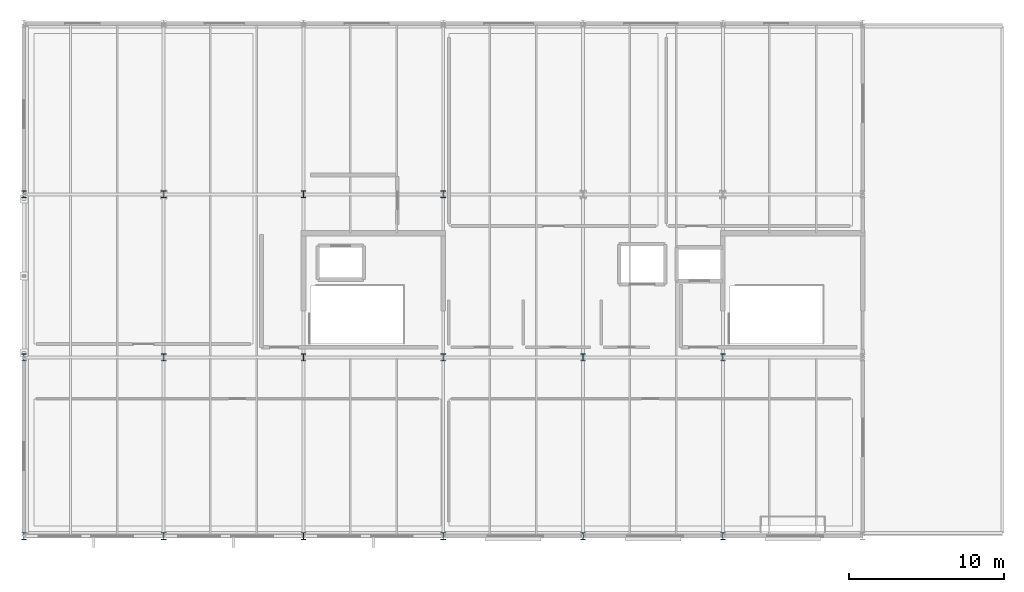
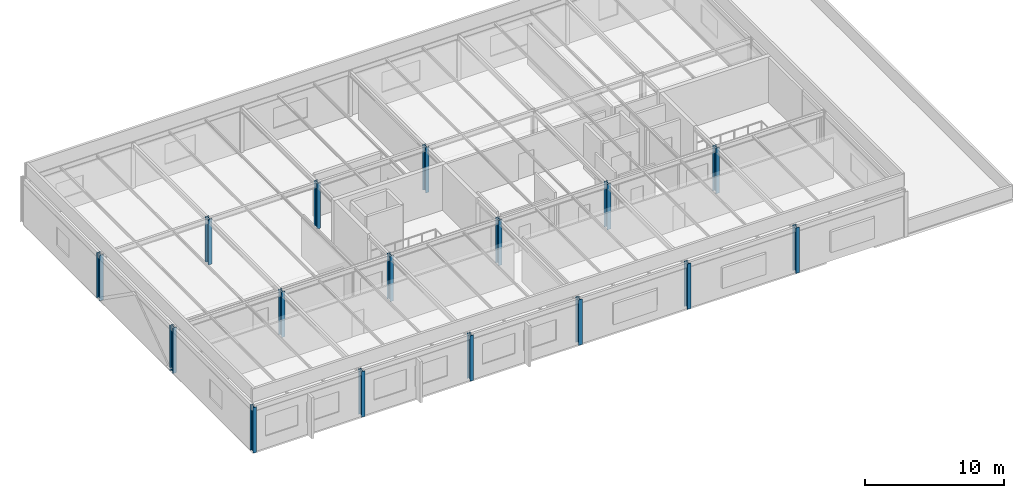
# One storey, part 1 of 14: 16 columns.
"""IFC4 building model written with IfcOpenShell, lengths in metres."""

from ifc_helpers import new_model, si_unit, direction, frame, origin, origin_2d, place, context, subcontext, project, spatial, i_section, extrude, material, material_profile, profile_set, type_object, element, save


model = new_model("IFC4")

# Units and contexts
model_context = context("Model", 3, precision=1e-05, world=origin(), true_north=direction((0.0, 1.0)))
body_context = subcontext(model_context, "Body", "Model", "MODEL_VIEW")
ifc_project = project(units=[si_unit("LENGTHUNIT", "METRE"), si_unit("AREAUNIT", "SQUARE_METRE"), si_unit("VOLUMEUNIT", "CUBIC_METRE"), si_unit("PLANEANGLEUNIT", "RADIAN"), si_unit("MASSUNIT", "GRAM", prefix="KILO")], contexts=[model_context])

# Site, building, storey
site_placement = place(None, origin())
site = spatial("IfcSite", under=ifc_project, at=site_placement, CompositionType="ELEMENT")
building_placement = place(site_placement, origin())
building = spatial("IfcBuilding", under=site, at=building_placement, Name="Marlcrest Central Station", CompositionType="ELEMENT")
storey_placement = place(building_placement, frame((0.0, 0.0, 24.0)))
storey = spatial("IfcBuildingStorey", under=building, at=storey_placement, Name="L05", CompositionType="ELEMENT", Elevation=24.0)

# Columns
ifc_material = material(Name="Steel S355", Category="steel")
ifc_material_profile = material_profile(ifc_material, i_section(OverallWidth=0.300048828125, OverallDepth=0.449951171875, WebThickness=0.013916015625, FlangeThickness=0.02587890625, FilletRadius=0.027099609375, at=origin_2d()), Name="HEB 450")
ifc_profile_set = profile_set([ifc_material_profile], Name="Steel S355")
column_type = type_object("IfcColumnType", Name="SC-02", PredefinedType="COLUMN", material=ifc_profile_set)
for number, where, z_axis, x_axis, name in (
    (1, (0.0, 99.0, 0.0), (0.0, 0.0, 1.0), (1.0, 0.0, 0.0), "col-SC-02-L05-0225"),
    (2, (0.0, 110.5, 0.0), (0.0, 0.0, 1.0), (1.0, 0.0, 0.0), "col-SC-02-L05-0226"),
    (3, (0.0, 121.0, 0.0), (0.0, 0.0, 1.0), (1.0, 0.0, 0.0), "col-SC-02-L05-0227"),
    (4, (9.0, 99.0, 0.0), (0.0, 0.0, 1.0), (1.0, 0.0, 0.0), "col-SC-02-L05-0229"),
    (5, (9.0, 110.5, 0.0), (0.0, 0.0, 1.0), (1.0, 0.0, 0.0), "col-SC-02-L05-0230"),
    (6, (9.0, 121.0, 0.0), (0.0, 0.0, 1.0), (1.0, 0.0, 0.0), "col-SC-02-L05-0231"),
    (7, (18.0, 99.0, 0.0), (0.0, 0.0, 1.0), (1.0, 0.0, 0.0), "col-SC-02-L05-0233"),
    (8, (18.0, 110.5, 0.0), (0.0, 0.0, 1.0), (1.0, 0.0, 0.0), "col-SC-02-L05-0234"),
    (9, (18.0, 121.0, 0.0), (0.0, 0.0, 1.0), (1.0, 0.0, 0.0), "col-SC-02-L05-0235"),
    (10, (27.0, 99.0, 0.0), (0.0, 0.0, 1.0), (1.0, 0.0, 0.0), "col-SC-02-L05-0237"),
    (11, (27.0, 110.5, 0.0), (0.0, 0.0, 1.0), (1.0, 0.0, 0.0), "col-SC-02-L05-0238"),
    (12, (27.0, 121.0, 0.0), (0.0, 0.0, 1.0), (1.0, 0.0, 0.0), "col-SC-02-L05-0239"),
    (13, (36.0, 99.0, 0.0), (0.0, 0.0, 1.0), (1.0, 0.0, 0.0), "col-SC-02-L05-0241"),
    (14, (36.0, 110.5, 0.0), (0.0, 0.0, 1.0), (1.0, 0.0, 0.0), "col-SC-02-L05-0242"),
    (15, (45.0, 99.0, 0.0), (0.0, 0.0, 1.0), (1.0, 0.0, 0.0), "col-SC-02-L05-0245"),
    (16, (45.0, 110.5, 0.0), (0.0, 0.0, 1.0), (1.0, 0.0, 0.0), "col-SC-02-L05-0246"),
):
    element("IfcColumn", number, at=place(storey_placement, frame(where, z_axis=z_axis, x_axis=x_axis)), inside=storey, type_object=column_type, Name=name, PredefinedType="COLUMN", context=body_context, shape_type="SweptSolid", body=[
        extrude(i_section(OverallWidth=0.300048828125, OverallDepth=0.449951171875, WebThickness=0.013916015625, FlangeThickness=0.02587890625, FilletRadius=0.027099609375, at=origin_2d()), origin(), (0.0, 0.0, 1.0), 3.97998046875),
    ])

save(model, "model.ifc")
